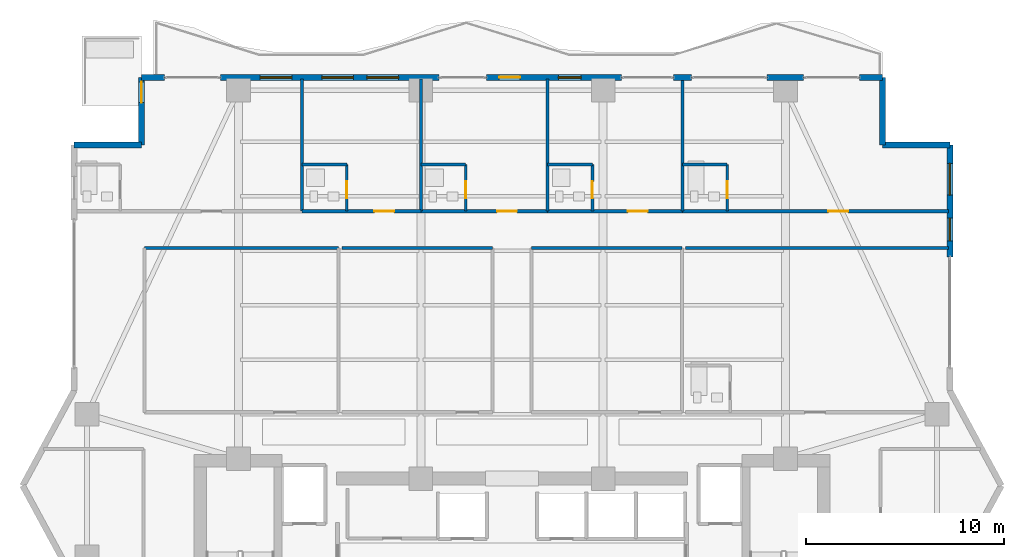
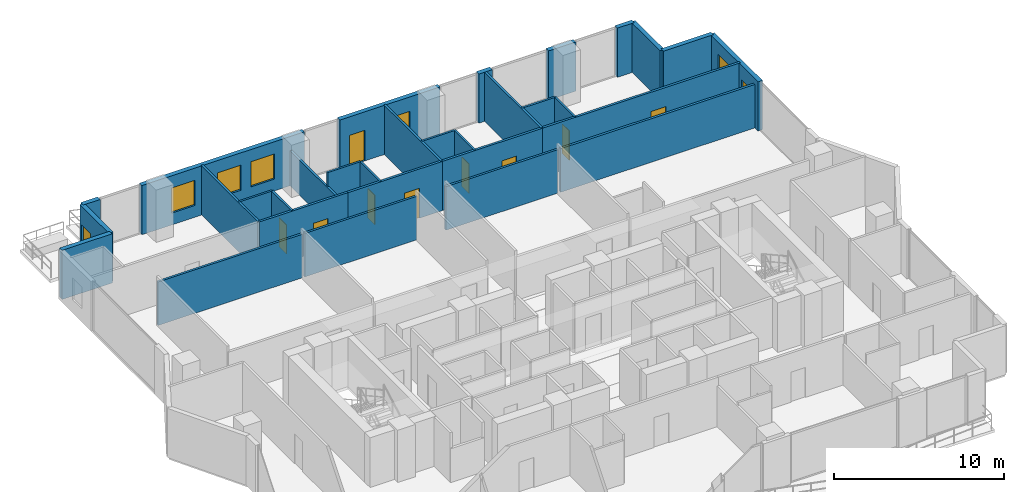
# One storey, part 27 of 32: 31 walls, 10 doors, 6 windows, 16 openings.
"""IFC4 building model written with IfcOpenShell, lengths in metres."""

from ifc_helpers import new_model, si_unit, direction, frame, frame_2d, origin, place, context, subcontext, project, spatial, rectangle, extrude, material, layer, layer_set, type_object, element, fill, save


model = new_model("IFC4")

# Units and contexts
model_context = context("Model", 3, precision=1e-05, world=origin(), true_north=direction((0.0, 1.0)))
body_context = subcontext(model_context, "Body", "Model", "MODEL_VIEW")
ifc_project = project(units=[si_unit("LENGTHUNIT", "METRE"), si_unit("AREAUNIT", "SQUARE_METRE"), si_unit("VOLUMEUNIT", "CUBIC_METRE"), si_unit("PLANEANGLEUNIT", "RADIAN"), si_unit("MASSUNIT", "GRAM", prefix="KILO")], contexts=[model_context])

# Site, building, storey
site_placement = place(None, origin())
site = spatial("IfcSite", under=ifc_project, at=site_placement, CompositionType="ELEMENT")
building_placement = place(site_placement, origin())
building = spatial("IfcBuilding", under=site, at=building_placement, Name="Zuhayl Quay Hotel", CompositionType="ELEMENT")
storey_placement = place(building_placement, frame((0.0, 0.0, 181.14990234375)))
storey = spatial("IfcBuildingStorey", under=building, at=storey_placement, Name="L45", CompositionType="ELEMENT", Elevation=181.14990234375)

# Wall
ifc_material_1 = material(Name="Precast concrete C45/55", Category="concrete")
ifc_layer_1 = layer(ifc_material_1, 0.300048828125, Name="Precast concrete C45/55", Category="concrete")
ifc_layer_set_1 = layer_set([ifc_layer_1], Name="Precast concrete C45/55")
wall_type_1 = type_object("IfcWallType", Name="WL_EXT_300", PredefinedType="STANDARD", material=ifc_layer_set_1)
wall_1_placement = place(storey_placement, frame((-22.10009765625, 30.199951171875, 0.0), z_axis=(0.0, 0.0, 1.0), x_axis=(1.0, 0.0, 0.0)))
element("IfcWall", 1, at=wall_1_placement, inside=storey, type_object=wall_type_1, Name="L45 Exterior Precast Wall ENV_L45_EW06", PredefinedType="STANDARD", context=body_context, shape_type="SweptSolid", body=[
    extrude(rectangle(XDim=3.400146484375, YDim=0.300048828125, at=frame_2d((1.7001953125, 0.0))), origin(), (0.0, 0.0, 1.0), 3.530029296875),
])

# Wall, opening, door
wall_2_placement = place(storey_placement, frame((-18.699951171875, 30.199951171875, 0.0), z_axis=(0.0, 0.0, 1.0), x_axis=(0.0, 1.0, 0.0)))
wall_2 = element("IfcWall", 2, at=wall_2_placement, inside=storey, type_object=wall_type_1, Name="L45 Exterior Precast Wall ENV_L45_SP_NW", PredefinedType="STANDARD", context=body_context, shape_type="SweptSolid", body=[
    extrude(rectangle(XDim=3.400146484375, YDim=0.300048828125, at=frame_2d((1.7001953125, 0.0))), origin(), (0.0, 0.0, 1.0), 3.530029296875),
])
opening_1_placement = place(wall_2_placement, frame((2.1298828125, 0.0, 0.0)))
opening_1 = element("IfcOpeningElement", 3, at=opening_1_placement, cuts=wall_2, Name="Opening DG1", PredefinedType="OPENING", context=body_context, shape_type="SweptSolid", body=[
    extrude(rectangle(XDim=1.050048828125, YDim=2.199951171875, at=frame_2d((0.52490234375, 1.10009765625))), frame((0.0, 0.159912109375, 0.0), z_axis=(0.0, -1.0, 0.0), x_axis=(1.0, 0.0, 0.0)), (0.0, 0.0, 1.0), 0.320068359375),
])
ifc_material_2 = material(Name="Anodised Aluminium and Dark Solar Glass", Category="aluminium")
door_type_1 = type_object("IfcDoorType", Name="DR_EXT_TERR_1050", OperationType="NOTDEFINED", PredefinedType="DOOR", material=ifc_material_2)
door_1_placement = place(opening_1_placement, origin())
door_1 = element("IfcDoor", 4, at=door_1_placement, inside=storey, type_object=door_type_1, Name="L45 Spiral Sky-Terrace NW Access Door", OperationType="SINGLE_SWING_LEFT", OverallHeight=2.199951171875, OverallWidth=1.050048828125, PredefinedType="DOOR", context=body_context, shape_type="SweptSolid", body=[
    extrude(rectangle(XDim=1.050048828125, YDim=2.199951171875, at=frame_2d((0.52490234375, 1.10009765625))), frame((0.0, 0.02490234375, 0.0), z_axis=(0.0, -1.0, 0.0), x_axis=(1.0, 0.0, 0.0)), (0.0, 0.0, 1.0), 0.050048828125),
])
fill(opening_1, door_1)

# Wall
wall_3_placement = place(storey_placement, frame((-18.699951171875, 33.60009765625, 0.0), z_axis=(0.0, 0.0, 1.0), x_axis=(1.0, 0.0, 0.0)))
element("IfcWall", 5, at=wall_3_placement, inside=storey, type_object=wall_type_1, Name="L45 Exterior Precast Wall ENV_L45_N_EW1", PredefinedType="STANDARD", context=body_context, shape_type="SweptSolid", body=[
    extrude(rectangle(XDim=1.14990234375, YDim=0.300048828125, at=frame_2d((0.574951171875, 0.0))), origin(), (0.0, 0.0, 1.0), 3.530029296875),
])

# Wall, openings, windows
wall_4_placement = place(storey_placement, frame((-14.719970703125, 33.60009765625, 0.0), z_axis=(0.0, 0.0, 1.0), x_axis=(1.0, 0.0, 0.0)))
wall_4 = element("IfcWall", 6, at=wall_4_placement, inside=storey, type_object=wall_type_1, Name="L45 Exterior Precast Wall ENV_L45_N_EW2", PredefinedType="STANDARD", context=body_context, shape_type="SweptSolid", body=[
    extrude(rectangle(XDim=11.0400390625, YDim=0.300048828125, at=frame_2d((5.52001953125, 0.0))), origin(), (0.0, 0.0, 1.0), 3.530029296875),
])
opening_2_placement = place(wall_4_placement, frame((5.1201171875, 0.0, 0.85009765625)))
opening_2 = element("IfcOpeningElement", 7, at=opening_2_placement, cuts=wall_4, Name="Opening W01", PredefinedType="OPENING", context=body_context, shape_type="SweptSolid", body=[
    extrude(rectangle(XDim=1.60009765625, YDim=1.800048828125, at=frame_2d((0.800048828125, 0.89990234375))), frame((0.0, 0.159912109375, 0.0), z_axis=(0.0, -1.0, 0.0), x_axis=(1.0, 0.0, 0.0)), (0.0, 0.0, 1.0), 0.320068359375),
])
opening_3_placement = place(wall_4_placement, frame((2.010009765625, 0.0, 0.85009765625)))
opening_3 = element("IfcOpeningElement", 8, at=opening_3_placement, cuts=wall_4, Name="Opening W01", PredefinedType="OPENING", context=body_context, shape_type="SweptSolid", body=[
    extrude(rectangle(XDim=1.60009765625, YDim=1.800048828125, at=frame_2d((0.800048828125, 0.89990234375))), frame((0.0, 0.159912109375, 0.0), z_axis=(0.0, -1.0, 0.0), x_axis=(1.0, 0.0, 0.0)), (0.0, 0.0, 1.0), 0.320068359375),
])
opening_4_placement = place(wall_4_placement, frame((7.39501953125, 0.0, 0.85009765625)))
opening_4 = element("IfcOpeningElement", 9, at=opening_4_placement, cuts=wall_4, Name="Opening W01", PredefinedType="OPENING", context=body_context, shape_type="SweptSolid", body=[
    extrude(rectangle(XDim=1.60009765625, YDim=1.800048828125, at=frame_2d((0.800048828125, 0.89990234375))), frame((0.0, 0.159912109375, 0.0), z_axis=(0.0, -1.0, 0.0), x_axis=(1.0, 0.0, 0.0)), (0.0, 0.0, 1.0), 0.320068359375),
])
ifc_material_3 = material(Name="Dark Ceramic-Fritted Solar Glass", Category="glass")
window_type_1 = type_object("IfcWindowType", Name="WN_OPERABLE_1600", PartitioningType="DOUBLE_PANEL_VERTICAL", PredefinedType="WINDOW", material=ifc_material_3)
window_1_placement = place(opening_2_placement, origin())
window_1 = element("IfcWindow", 10, at=window_1_placement, inside=storey, type_object=window_type_1, Name="L45 North Operable Casement Window", OverallHeight=1.800048828125, OverallWidth=1.60009765625, PartitioningType="SINGLE_PANEL", PredefinedType="WINDOW", context=body_context, shape_type="SweptSolid", body=[
    extrude(rectangle(XDim=1.60009765625, YDim=1.800048828125, at=frame_2d((0.800048828125, 0.89990234375))), frame((0.0, 0.030029296875, 0.0), z_axis=(0.0, -1.0, 0.0), x_axis=(1.0, 0.0, 0.0)), (0.0, 0.0, 1.0), 0.06005859375),
])
fill(opening_2, window_1)
window_2_placement = place(opening_3_placement, origin())
window_2 = element("IfcWindow", 11, at=window_2_placement, inside=storey, type_object=window_type_1, Name="L45 Operable Facade Window 2-1", OverallHeight=1.800048828125, OverallWidth=1.60009765625, PartitioningType="SINGLE_PANEL", PredefinedType="WINDOW", context=body_context, shape_type="SweptSolid", body=[
    extrude(rectangle(XDim=1.60009765625, YDim=1.800048828125, at=frame_2d((0.800048828125, 0.89990234375))), frame((0.0, 0.030029296875, 0.0), z_axis=(0.0, -1.0, 0.0), x_axis=(1.0, 0.0, 0.0)), (0.0, 0.0, 1.0), 0.06005859375),
])
fill(opening_3, window_2)
window_3_placement = place(opening_4_placement, origin())
window_3 = element("IfcWindow", 12, at=window_3_placement, inside=storey, type_object=window_type_1, Name="L45 Operable Facade Window 2-2", OverallHeight=1.800048828125, OverallWidth=1.60009765625, PartitioningType="SINGLE_PANEL", PredefinedType="WINDOW", context=body_context, shape_type="SweptSolid", body=[
    extrude(rectangle(XDim=1.60009765625, YDim=1.800048828125, at=frame_2d((0.800048828125, 0.89990234375))), frame((0.0, 0.030029296875, 0.0), z_axis=(0.0, -1.0, 0.0), x_axis=(1.0, 0.0, 0.0)), (0.0, 0.0, 1.0), 0.06005859375),
])
fill(opening_4, window_3)

# Wall, openings, door, window
wall_5_placement = place(storey_placement, frame((-1.294921875, 33.60009765625, 0.0), z_axis=(0.0, 0.0, 1.0), x_axis=(1.0, 0.0, 0.0)))
wall_5 = element("IfcWall", 13, at=wall_5_placement, inside=storey, type_object=wall_type_1, Name="L45 Exterior Precast Wall ENV_L45_N_EW3", PredefinedType="STANDARD", context=body_context, shape_type="SweptSolid", body=[
    extrude(rectangle(XDim=6.81494140625, YDim=0.300048828125, at=frame_2d((3.407470703125, 0.0))), origin(), (0.0, 0.0, 1.0), 3.530029296875),
])
opening_5_placement = place(wall_5_placement, frame((0.64990234375, 0.0, 0.0)))
opening_5 = element("IfcOpeningElement", 14, at=opening_5_placement, cuts=wall_5, Name="Opening DG1", PredefinedType="OPENING", context=body_context, shape_type="SweptSolid", body=[
    extrude(rectangle(XDim=1.050048828125, YDim=2.199951171875, at=frame_2d((0.52490234375, 1.10009765625))), frame((0.0, 0.159912109375, 0.0), z_axis=(0.0, -1.0, 0.0), x_axis=(1.0, 0.0, 0.0)), (0.0, 0.0, 1.0), 0.320068359375),
])
opening_6_placement = place(wall_5_placement, frame((3.6298828125, 0.0, 0.949951171875)))
opening_6 = element("IfcOpeningElement", 15, at=opening_6_placement, cuts=wall_5, Name="Opening W01N", PredefinedType="OPENING", context=body_context, shape_type="SweptSolid", body=[
    extrude(rectangle(XDim=1.14990234375, YDim=1.550048828125, at=frame_2d((0.574951171875, 0.77490234375))), frame((0.0, 0.159912109375, 0.0), z_axis=(0.0, -1.0, 0.0), x_axis=(1.0, 0.0, 0.0)), (0.0, 0.0, 1.0), 0.320068359375),
])
door_2_placement = place(opening_5_placement, origin())
door_2 = element("IfcDoor", 16, at=door_2_placement, inside=storey, type_object=door_type_1, Name="L45 North Rippling Balcony Door", OperationType="SINGLE_SWING_LEFT", OverallHeight=2.199951171875, OverallWidth=1.050048828125, PredefinedType="DOOR", context=body_context, shape_type="SweptSolid", body=[
    extrude(rectangle(XDim=1.050048828125, YDim=2.199951171875, at=frame_2d((0.52490234375, 1.10009765625))), frame((0.0, 0.02490234375, 0.0), z_axis=(0.0, -1.0, 0.0), x_axis=(1.0, 0.0, 0.0)), (0.0, 0.0, 1.0), 0.050048828125),
])
fill(opening_5, door_2)
window_type_2 = type_object("IfcWindowType", Name="WN_NOTCH_1350", PartitioningType="SINGLE_PANEL", PredefinedType="WINDOW", material=ifc_material_3)
window_4_placement = place(opening_6_placement, origin())
window_4 = element("IfcWindow", 17, at=window_4_placement, inside=storey, type_object=window_type_2, Name="L45 Operable Facade Window 3-1", OverallHeight=1.550048828125, OverallWidth=1.14990234375, PartitioningType="SINGLE_PANEL", PredefinedType="WINDOW", context=body_context, shape_type="SweptSolid", body=[
    extrude(rectangle(XDim=1.14990234375, YDim=1.550048828125, at=frame_2d((0.574951171875, 0.77490234375))), frame((0.0, 0.030029296875, 0.0), z_axis=(0.0, -1.0, 0.0), x_axis=(1.0, 0.0, 0.0)), (0.0, 0.0, 1.0), 0.06005859375),
])
fill(opening_6, window_4)

# Walls
wall_6_placement = place(storey_placement, frame((8.14990234375, 33.60009765625, 0.0), z_axis=(0.0, 0.0, 1.0), x_axis=(1.0, 0.0, 0.0)))
element("IfcWall", 18, at=wall_6_placement, inside=storey, type_object=wall_type_1, Name="L45 Exterior Precast Wall ENV_L45_N_EW4", PredefinedType="STANDARD", context=body_context, shape_type="SweptSolid", body=[
    extrude(rectangle(XDim=0.900146484375, YDim=0.300048828125, at=frame_2d((0.4501953125, 0.0))), origin(), (0.0, 0.0, 1.0), 3.530029296875),
])
wall_7_placement = place(storey_placement, frame((12.8798828125, 33.60009765625, 0.0), z_axis=(0.0, 0.0, 1.0), x_axis=(1.0, 0.0, 0.0)))
element("IfcWall", 19, at=wall_7_placement, inside=storey, type_object=wall_type_1, Name="L45 Exterior Precast Wall ENV_L45_N_EW5", PredefinedType="STANDARD", context=body_context, shape_type="SweptSolid", body=[
    extrude(rectangle(XDim=1.840087890625, YDim=0.300048828125, at=frame_2d((0.919921875, 0.0))), origin(), (0.0, 0.0, 1.0), 3.530029296875),
])
wall_8_placement = place(storey_placement, frame((17.550048828125, 33.60009765625, 0.0), z_axis=(0.0, 0.0, 1.0), x_axis=(1.0, 0.0, 0.0)))
element("IfcWall", 20, at=wall_8_placement, inside=storey, type_object=wall_type_1, Name="L45 Exterior Precast Wall ENV_L45_N_EW6", PredefinedType="STANDARD", context=body_context, shape_type="SweptSolid", body=[
    extrude(rectangle(XDim=1.14990234375, YDim=0.300048828125, at=frame_2d((0.574951171875, 0.0))), origin(), (0.0, 0.0, 1.0), 3.530029296875),
])
for number, where, z_axis, x_axis, name in (
    (21, (18.699951171875, 33.60009765625, 0.0), (0.0, 0.0, 1.0), (0.0, -1.0, 0.0), "L45 Exterior Precast Wall ENV_L45_EW09"),
    (22, (18.699951171875, 30.199951171875, 0.0), (0.0, 0.0, 1.0), (1.0, 0.0, 0.0), "L45 Exterior Precast Wall ENV_L45_EW10"),
):
    element("IfcWall", number, at=place(storey_placement, frame(where, z_axis=z_axis, x_axis=x_axis)), inside=storey, type_object=wall_type_1, Name=name, PredefinedType="STANDARD", context=body_context, shape_type="SweptSolid", body=[
        extrude(rectangle(XDim=3.400146484375, YDim=0.300048828125, at=frame_2d((1.7001953125, 0.0))), origin(), (0.0, 0.0, 1.0), 3.530029296875),
    ])

# Wall, openings, windows
wall_9_placement = place(storey_placement, frame((22.10009765625, 30.199951171875, 0.0), z_axis=(0.0, 0.0, 1.0), x_axis=(0.0, -1.0, 0.0)))
wall_9 = element("IfcWall", 23, at=wall_9_placement, inside=storey, type_object=wall_type_1, Name="L45 Exterior Precast Wall ENV_L45_E11_EW1", PredefinedType="STANDARD", context=body_context, shape_type="SweptSolid", body=[
    extrude(rectangle(XDim=5.64990234375, YDim=0.300048828125, at=frame_2d((2.824951171875, 0.0))), origin(), (0.0, 0.0, 1.0), 3.530029296875),
])
opening_7_placement = place(wall_9_placement, frame((0.93505859375, 0.0, 0.85009765625)))
opening_7 = element("IfcOpeningElement", 24, at=opening_7_placement, cuts=wall_9, Name="Opening W01", PredefinedType="OPENING", context=body_context, shape_type="SweptSolid", body=[
    extrude(rectangle(XDim=1.60009765625, YDim=1.800048828125, at=frame_2d((0.800048828125, 0.89990234375))), frame((0.0, 0.159912109375, 0.0), z_axis=(0.0, -1.0, 0.0), x_axis=(1.0, 0.0, 0.0)), (0.0, 0.0, 1.0), 0.320068359375),
])
opening_8_placement = place(wall_9_placement, frame((3.699951171875, 0.0, 0.949951171875)))
opening_8 = element("IfcOpeningElement", 25, at=opening_8_placement, cuts=wall_9, Name="Opening W01N", PredefinedType="OPENING", context=body_context, shape_type="SweptSolid", body=[
    extrude(rectangle(XDim=1.14990234375, YDim=1.550048828125, at=frame_2d((0.574951171875, 0.77490234375))), frame((0.0, 0.159912109375, 0.0), z_axis=(0.0, -1.0, 0.0), x_axis=(1.0, 0.0, 0.0)), (0.0, 0.0, 1.0), 0.320068359375),
])
window_5_placement = place(opening_8_placement, origin())
window_5 = element("IfcWindow", 26, at=window_5_placement, inside=storey, type_object=window_type_2, Name="L45 Operable Facade Window 1-2", OverallHeight=1.550048828125, OverallWidth=1.14990234375, PartitioningType="SINGLE_PANEL", PredefinedType="WINDOW", context=body_context, shape_type="SweptSolid", body=[
    extrude(rectangle(XDim=1.14990234375, YDim=1.550048828125, at=frame_2d((0.574951171875, 0.77490234375))), frame((0.0, 0.030029296875, 0.0), z_axis=(0.0, -1.0, 0.0), x_axis=(1.0, 0.0, 0.0)), (0.0, 0.0, 1.0), 0.06005859375),
])
fill(opening_8, window_5)
window_6_placement = place(opening_7_placement, origin())
window_6 = element("IfcWindow", 27, at=window_6_placement, inside=storey, type_object=window_type_1, Name="L45 Operable Facade Window 1-1", OverallHeight=1.800048828125, OverallWidth=1.60009765625, PartitioningType="SINGLE_PANEL", PredefinedType="WINDOW", context=body_context, shape_type="SweptSolid", body=[
    extrude(rectangle(XDim=1.60009765625, YDim=1.800048828125, at=frame_2d((0.800048828125, 0.89990234375))), frame((0.0, 0.030029296875, 0.0), z_axis=(0.0, -1.0, 0.0), x_axis=(1.0, 0.0, 0.0)), (0.0, 0.0, 1.0), 0.06005859375),
])
fill(opening_7, window_6)

# Walls
ifc_material_4 = material(Name="Acoustic Gypsum Partition STC-58")
ifc_layer_2 = layer(ifc_material_4, 0.14990234375, Name="Acoustic Gypsum Partition STC-58")
ifc_layer_set_2 = layer_set([ifc_layer_2], Name="Acoustic Gypsum Partition STC-58")
wall_type_2 = type_object("IfcWallType", Name="WL_PART_150", PredefinedType="PARTITIONING", material=ifc_layer_set_2)
wall_10_placement = place(storey_placement, frame((-10.60009765625, 26.85009765625, 0.0), z_axis=(0.0, 0.0, 1.0), x_axis=(0.0, 1.0, 0.0)))
element("IfcWall", 28, at=wall_10_placement, inside=storey, type_object=wall_type_2, Name="L45 Partition IW_L45_NU01_E", PredefinedType="PARTITIONING", context=body_context, shape_type="SweptSolid", body=[
    extrude(rectangle(XDim=6.669921875, YDim=0.14990234375, at=frame_2d((3.3349609375, 0.0))), origin(), (0.0, 0.0, 1.0), 3.530029296875),
])
wall_11_placement = place(storey_placement, frame((-4.60009765625, 26.85009765625, 0.0), z_axis=(0.0, 0.0, 1.0), x_axis=(0.0, 1.0, 0.0)))
element("IfcWall", 29, at=wall_11_placement, inside=storey, type_object=wall_type_2, Name="L45 Partition IW_L45_NU02_E", PredefinedType="PARTITIONING", context=body_context, shape_type="SweptSolid", body=[
    extrude(rectangle(XDim=6.669921875, YDim=0.14990234375, at=frame_2d((3.3349609375, 0.0))), origin(), (0.0, 0.0, 1.0), 2.51904296875),
])
for number, where, z_axis, x_axis, name in (
    (30, (1.800048828125, 26.85009765625, 0.0), (0.0, 0.0, 1.0), (0.0, 1.0, 0.0), "L45 Partition IW_L45_NU03_E"),
    (31, (8.60009765625, 26.85009765625, 0.0), (0.0, 0.0, 1.0), (0.0, 1.0, 0.0), "L45 Partition IW_L45_NU04_E"),
):
    element("IfcWall", number, at=place(storey_placement, frame(where, z_axis=z_axis, x_axis=x_axis)), inside=storey, type_object=wall_type_2, Name=name, PredefinedType="PARTITIONING", context=body_context, shape_type="SweptSolid", body=[
        extrude(rectangle(XDim=6.669921875, YDim=0.14990234375, at=frame_2d((3.3349609375, 0.0))), origin(), (0.0, 0.0, 1.0), 3.530029296875),
    ])
wall_12_placement = place(storey_placement, frame((-18.550048828125, 25.0, 0.0), z_axis=(0.0, 0.0, 1.0), x_axis=(1.0, 0.0, 0.0)))
element("IfcWall", 32, at=wall_12_placement, inside=storey, type_object=wall_type_2, Name="L45 Partition IW_L45_Z3_SAL_W1_N", PredefinedType="PARTITIONING", context=body_context, shape_type="SweptSolid", body=[
    extrude(rectangle(XDim=9.800048828125, YDim=0.14990234375, at=frame_2d((4.89990234375, 0.0))), origin(), (0.0, 0.0, 1.0), 3.1240234375),
])
for number, where, z_axis, x_axis, name in (
    (33, (-8.590087890625, 25.0, 0.0), (0.0, 0.0, 1.0), (1.0, 0.0, 0.0), "L45 Partition IW_L45_Z3_SAL_W2_N"),
    (34, (0.97998046875, 25.0, 0.0), (0.0, 0.0, 1.0), (1.0, 0.0, 0.0), "L45 Partition IW_L45_Z3_SAL_E1_N"),
):
    element("IfcWall", number, at=place(storey_placement, frame(where, z_axis=z_axis, x_axis=x_axis)), inside=storey, type_object=wall_type_2, Name=name, PredefinedType="PARTITIONING", context=body_context, shape_type="SweptSolid", body=[
        extrude(rectangle(XDim=7.610107421875, YDim=0.14990234375, at=frame_2d((3.80517578125, 0.0))), origin(), (0.0, 0.0, 1.0), 3.1240234375),
    ])

# Wall, opening, door
ifc_layer_3 = layer(ifc_material_4, 0.159912109375, Name="Acoustic Gypsum Partition STC-58")
ifc_layer_set_3 = layer_set([ifc_layer_3], Name="Acoustic Gypsum Partition STC-58")
wall_type_3 = type_object("IfcWallType", Name="WL_PART_CORR_160", PredefinedType="PARTITIONING", material=ifc_layer_set_3)
wall_13_placement = place(storey_placement, frame((-10.60009765625, 26.85009765625, 0.0), z_axis=(0.0, 0.0, 1.0), x_axis=(1.0, 0.0, 0.0)))
wall_13 = element("IfcWall", 35, at=wall_13_placement, inside=storey, type_object=wall_type_3, Name="L45 Partition IW_L45_NU02_COR", PredefinedType="PARTITIONING", context=body_context, shape_type="SweptSolid", body=[
    extrude(rectangle(XDim=6.0, YDim=0.159912109375, at=frame_2d((3.0, 0.0))), origin(), (0.0, 0.0, 1.0), 3.530029296875),
])
opening_9_placement = place(wall_13_placement, frame((3.64990234375, 0.0, 0.0)))
opening_9 = element("IfcOpeningElement", 36, at=opening_9_placement, cuts=wall_13, Name="Opening D03L", PredefinedType="OPENING", context=body_context, shape_type="SweptSolid", body=[
    extrude(rectangle(XDim=1.0, YDim=2.14990234375, at=frame_2d((0.5, 1.074951171875))), frame((0.0, 0.08984375, 0.0), z_axis=(0.0, -1.0, 0.0), x_axis=(1.0, 0.0, 0.0)), (0.0, 0.0, 1.0), 0.179931640625),
])
ifc_material_5 = material(Name="Solid Walnut Acoustic Fire Door")
door_type_2 = type_object("IfcDoorType", Name="DR_SUITE_1000", OperationType="NOTDEFINED", PredefinedType="DOOR", material=ifc_material_5)
door_3_placement = place(opening_9_placement, origin())
door_3 = element("IfcDoor", 37, at=door_3_placement, inside=storey, type_object=door_type_2, Name="L45 Panoramic Gulf Suite L45-02 Entrance Door", OperationType="SINGLE_SWING_RIGHT", OverallHeight=2.14990234375, OverallWidth=1.0, PredefinedType="DOOR", context=body_context, shape_type="SweptSolid", body=[
    extrude(rectangle(XDim=1.0, YDim=2.14990234375, at=frame_2d((0.5, 1.074951171875))), frame((0.0, 0.02490234375, 0.0), z_axis=(0.0, -1.0, 0.0), x_axis=(1.0, 0.0, 0.0)), (0.0, 0.0, 1.0), 0.050048828125),
])
fill(opening_9, door_3)

wall_14_placement = place(storey_placement, frame((-4.60009765625, 26.85009765625, 0.0), z_axis=(0.0, 0.0, 1.0), x_axis=(1.0, 0.0, 0.0)))
wall_14 = element("IfcWall", 38, at=wall_14_placement, inside=storey, type_object=wall_type_3, Name="L45 Partition IW_L45_NU03_COR", PredefinedType="PARTITIONING", context=body_context, shape_type="SweptSolid", body=[
    extrude(rectangle(XDim=6.400146484375, YDim=0.159912109375, at=frame_2d((3.2001953125, 0.0))), origin(), (0.0, 0.0, 1.0), 3.530029296875),
])
opening_10_placement = place(wall_14_placement, frame((3.85009765625, 0.0, 0.0)))
opening_10 = element("IfcOpeningElement", 39, at=opening_10_placement, cuts=wall_14, Name="Opening D03L", PredefinedType="OPENING", context=body_context, shape_type="SweptSolid", body=[
    extrude(rectangle(XDim=1.0, YDim=2.14990234375, at=frame_2d((0.5, 1.074951171875))), frame((0.0, 0.08984375, 0.0), z_axis=(0.0, -1.0, 0.0), x_axis=(1.0, 0.0, 0.0)), (0.0, 0.0, 1.0), 0.179931640625),
])
door_4_placement = place(opening_10_placement, origin())
door_4 = element("IfcDoor", 40, at=door_4_placement, inside=storey, type_object=door_type_2, Name="L45 Panoramic Gulf Suite L45-03 Entrance Door", OperationType="SINGLE_SWING_RIGHT", OverallHeight=2.14990234375, OverallWidth=1.0, PredefinedType="DOOR", context=body_context, shape_type="SweptSolid", body=[
    extrude(rectangle(XDim=1.0, YDim=2.14990234375, at=frame_2d((0.5, 1.074951171875))), frame((0.0, 0.02490234375, 0.0), z_axis=(0.0, -1.0, 0.0), x_axis=(1.0, 0.0, 0.0)), (0.0, 0.0, 1.0), 0.050048828125),
])
fill(opening_10, door_4)

wall_15_placement = place(storey_placement, frame((1.800048828125, 26.85009765625, 0.0), z_axis=(0.0, 0.0, 1.0), x_axis=(1.0, 0.0, 0.0)))
wall_15 = element("IfcWall", 41, at=wall_15_placement, inside=storey, type_object=wall_type_3, Name="L45 Partition IW_L45_NU04_COR", PredefinedType="PARTITIONING", context=body_context, shape_type="SweptSolid", body=[
    extrude(rectangle(XDim=6.800048828125, YDim=0.159912109375, at=frame_2d((3.39990234375, 0.0))), origin(), (0.0, 0.0, 1.0), 3.530029296875),
])
opening_11_placement = place(wall_15_placement, frame((4.050048828125, 0.0, 0.0)))
opening_11 = element("IfcOpeningElement", 42, at=opening_11_placement, cuts=wall_15, Name="Opening D03L", PredefinedType="OPENING", context=body_context, shape_type="SweptSolid", body=[
    extrude(rectangle(XDim=1.0, YDim=2.14990234375, at=frame_2d((0.5, 1.074951171875))), frame((0.0, 0.08984375, 0.0), z_axis=(0.0, -1.0, 0.0), x_axis=(1.0, 0.0, 0.0)), (0.0, 0.0, 1.0), 0.179931640625),
])
door_5_placement = place(opening_11_placement, origin())
door_5 = element("IfcDoor", 43, at=door_5_placement, inside=storey, type_object=door_type_2, Name="L45 Panoramic Gulf Suite L45-04 Entrance Door", OperationType="SINGLE_SWING_RIGHT", OverallHeight=2.14990234375, OverallWidth=1.0, PredefinedType="DOOR", context=body_context, shape_type="SweptSolid", body=[
    extrude(rectangle(XDim=1.0, YDim=2.14990234375, at=frame_2d((0.5, 1.074951171875))), frame((0.0, 0.02490234375, 0.0), z_axis=(0.0, -1.0, 0.0), x_axis=(1.0, 0.0, 0.0)), (0.0, 0.0, 1.0), 0.050048828125),
])
fill(opening_11, door_5)

wall_16_placement = place(storey_placement, frame((8.60009765625, 26.85009765625, 0.0), z_axis=(0.0, 0.0, 1.0), x_axis=(1.0, 0.0, 0.0)))
wall_16 = element("IfcWall", 44, at=wall_16_placement, inside=storey, type_object=wall_type_3, Name="L45 Partition IW_L45_NU05_COR", PredefinedType="PARTITIONING", context=body_context, shape_type="SweptSolid", body=[
    extrude(rectangle(XDim=13.43994140625, YDim=0.159912109375, at=frame_2d((6.719970703125, 0.0))), origin(), (0.0, 0.0, 1.0), 3.530029296875),
])
opening_12_placement = place(wall_16_placement, frame((7.3701171875, 0.0, 0.0)))
opening_12 = element("IfcOpeningElement", 45, at=opening_12_placement, cuts=wall_16, Name="Opening D03L", PredefinedType="OPENING", context=body_context, shape_type="SweptSolid", body=[
    extrude(rectangle(XDim=1.0, YDim=2.14990234375, at=frame_2d((0.5, 1.074951171875))), frame((0.0, 0.08984375, 0.0), z_axis=(0.0, -1.0, 0.0), x_axis=(1.0, 0.0, 0.0)), (0.0, 0.0, 1.0), 0.179931640625),
])
door_6_placement = place(opening_12_placement, origin())
door_6 = element("IfcDoor", 46, at=door_6_placement, inside=storey, type_object=door_type_2, Name="L45 Panoramic Gulf Suite L45-05 Entrance Door", OperationType="SINGLE_SWING_RIGHT", OverallHeight=2.14990234375, OverallWidth=1.0, PredefinedType="DOOR", context=body_context, shape_type="SweptSolid", body=[
    extrude(rectangle(XDim=1.0, YDim=2.14990234375, at=frame_2d((0.5, 1.074951171875))), frame((0.0, 0.02490234375, 0.0), z_axis=(0.0, -1.0, 0.0), x_axis=(1.0, 0.0, 0.0)), (0.0, 0.0, 1.0), 0.050048828125),
])
fill(opening_12, door_6)

# Wall
wall_17_placement = place(storey_placement, frame((8.75, 25.0, 0.0), z_axis=(0.0, 0.0, 1.0), x_axis=(1.0, 0.0, 0.0)))
element("IfcWall", 47, at=wall_17_placement, inside=storey, type_object=wall_type_3, Name="L45 Partition IW_L45_MU01_BK", PredefinedType="PARTITIONING", context=body_context, shape_type="SweptSolid", body=[
    extrude(rectangle(XDim=13.2900390625, YDim=0.159912109375, at=frame_2d((6.64501953125, 0.0))), origin(), (0.0, 0.0, 1.0), 3.1240234375),
])

# Wall, opening, door
ifc_material_6 = material(Name="Moisture-Resistant Sanitarychase Gypsum")
ifc_layer_4 = layer(ifc_material_6, 0.135009765625, Name="Moisture-Resistant Sanitarychase Gypsum")
ifc_layer_set_4 = layer_set([ifc_layer_4], Name="Moisture-Resistant Sanitarychase Gypsum")
wall_type_4 = type_object("IfcWallType", Name="WL_PART_PLUMB_150", PredefinedType="PLUMBINGWALL", material=ifc_layer_set_4)
wall_18_placement = place(storey_placement, frame((-8.340087890625, 26.85009765625, 0.0), z_axis=(0.0, 0.0, 1.0), x_axis=(0.0, 1.0, 0.0)))
wall_18 = element("IfcWall", 48, at=wall_18_placement, inside=storey, type_object=wall_type_4, Name="L45 Partition IW_L45_NU02_BE", PredefinedType="PLUMBINGWALL", context=body_context, shape_type="SweptSolid", body=[
    extrude(rectangle(XDim=2.35986328125, YDim=0.135009765625, at=frame_2d((1.179931640625, 0.0))), origin(), (0.0, 0.0, 1.0), 3.530029296875),
])
opening_13_placement = place(wall_18_placement, frame((0.64990234375, 0.0, 0.0)))
opening_13 = element("IfcOpeningElement", 49, at=opening_13_placement, cuts=wall_18, Name="Opening D04", PredefinedType="OPENING", context=body_context, shape_type="SweptSolid", body=[
    extrude(rectangle(XDim=0.85009765625, YDim=2.10009765625, at=frame_2d((0.425048828125, 1.050048828125))), frame((0.0, 0.077392578125, 0.0), z_axis=(0.0, -1.0, 0.0), x_axis=(1.0, 0.0, 0.0)), (0.0, 0.0, 1.0), 0.155029296875),
])
ifc_material_7 = material(Name="Moisture-Resistant Walnut Veneer")
door_type_3 = type_object("IfcDoorType", Name="DR_BATH_850", OperationType="NOTDEFINED", PredefinedType="DOOR", material=ifc_material_7)
door_7_placement = place(opening_13_placement, origin())
door_7 = element("IfcDoor", 50, at=door_7_placement, inside=storey, type_object=door_type_3, Name="L45 Panoramic Gulf Suite L45-02 En-Suite Door", OperationType="SINGLE_SWING_LEFT", OverallHeight=2.10009765625, OverallWidth=0.85009765625, PredefinedType="DOOR", context=body_context, shape_type="SweptSolid", body=[
    extrude(rectangle(XDim=0.85009765625, YDim=2.10009765625, at=frame_2d((0.425048828125, 1.050048828125))), frame((0.0, 0.02490234375, 0.0), z_axis=(0.0, -1.0, 0.0), x_axis=(1.0, 0.0, 0.0)), (0.0, 0.0, 1.0), 0.050048828125),
])
fill(opening_13, door_7)

wall_19_placement = place(storey_placement, frame((-2.340087890625, 26.85009765625, 0.0), z_axis=(0.0, 0.0, 1.0), x_axis=(0.0, 1.0, 0.0)))
wall_19 = element("IfcWall", 51, at=wall_19_placement, inside=storey, type_object=wall_type_4, Name="L45 Partition IW_L45_NU03_BE", PredefinedType="PLUMBINGWALL", context=body_context, shape_type="SweptSolid", body=[
    extrude(rectangle(XDim=2.35986328125, YDim=0.135009765625, at=frame_2d((1.179931640625, 0.0))), origin(), (0.0, 0.0, 1.0), 3.530029296875),
])
opening_14_placement = place(wall_19_placement, frame((0.64990234375, 0.0, 0.0)))
opening_14 = element("IfcOpeningElement", 52, at=opening_14_placement, cuts=wall_19, Name="Opening D04", PredefinedType="OPENING", context=body_context, shape_type="SweptSolid", body=[
    extrude(rectangle(XDim=0.85009765625, YDim=2.10009765625, at=frame_2d((0.425048828125, 1.050048828125))), frame((0.0, 0.077392578125, 0.0), z_axis=(0.0, -1.0, 0.0), x_axis=(1.0, 0.0, 0.0)), (0.0, 0.0, 1.0), 0.155029296875),
])
door_8_placement = place(opening_14_placement, origin())
door_8 = element("IfcDoor", 53, at=door_8_placement, inside=storey, type_object=door_type_3, Name="L45 Panoramic Gulf Suite L45-03 En-Suite Door", OperationType="SINGLE_SWING_LEFT", OverallHeight=2.10009765625, OverallWidth=0.85009765625, PredefinedType="DOOR", context=body_context, shape_type="SweptSolid", body=[
    extrude(rectangle(XDim=0.85009765625, YDim=2.10009765625, at=frame_2d((0.425048828125, 1.050048828125))), frame((0.0, 0.02490234375, 0.0), z_axis=(0.0, -1.0, 0.0), x_axis=(1.0, 0.0, 0.0)), (0.0, 0.0, 1.0), 0.050048828125),
])
fill(opening_14, door_8)

wall_20_placement = place(storey_placement, frame((4.06005859375, 26.85009765625, 0.0), z_axis=(0.0, 0.0, 1.0), x_axis=(0.0, 1.0, 0.0)))
wall_20 = element("IfcWall", 54, at=wall_20_placement, inside=storey, type_object=wall_type_4, Name="L45 Partition IW_L45_NU04_BE", PredefinedType="PLUMBINGWALL", context=body_context, shape_type="SweptSolid", body=[
    extrude(rectangle(XDim=2.35986328125, YDim=0.135009765625, at=frame_2d((1.179931640625, 0.0))), origin(), (0.0, 0.0, 1.0), 3.530029296875),
])
opening_15_placement = place(wall_20_placement, frame((0.64990234375, 0.0, 0.0)))
opening_15 = element("IfcOpeningElement", 55, at=opening_15_placement, cuts=wall_20, Name="Opening D04", PredefinedType="OPENING", context=body_context, shape_type="SweptSolid", body=[
    extrude(rectangle(XDim=0.85009765625, YDim=2.10009765625, at=frame_2d((0.425048828125, 1.050048828125))), frame((0.0, 0.077392578125, 0.0), z_axis=(0.0, -1.0, 0.0), x_axis=(1.0, 0.0, 0.0)), (0.0, 0.0, 1.0), 0.155029296875),
])
door_9_placement = place(opening_15_placement, origin())
door_9 = element("IfcDoor", 56, at=door_9_placement, inside=storey, type_object=door_type_3, Name="L45 Panoramic Gulf Suite L45-04 En-Suite Door", OperationType="SINGLE_SWING_LEFT", OverallHeight=2.10009765625, OverallWidth=0.85009765625, PredefinedType="DOOR", context=body_context, shape_type="SweptSolid", body=[
    extrude(rectangle(XDim=0.85009765625, YDim=2.10009765625, at=frame_2d((0.425048828125, 1.050048828125))), frame((0.0, 0.02490234375, 0.0), z_axis=(0.0, -1.0, 0.0), x_axis=(1.0, 0.0, 0.0)), (0.0, 0.0, 1.0), 0.050048828125),
])
fill(opening_15, door_9)

wall_21_placement = place(storey_placement, frame((10.860107421875, 26.85009765625, 0.0), z_axis=(0.0, 0.0, 1.0), x_axis=(0.0, 1.0, 0.0)))
wall_21 = element("IfcWall", 57, at=wall_21_placement, inside=storey, type_object=wall_type_4, Name="L45 Partition IW_L45_NU05_BE", PredefinedType="PLUMBINGWALL", context=body_context, shape_type="SweptSolid", body=[
    extrude(rectangle(XDim=2.35986328125, YDim=0.135009765625, at=frame_2d((1.179931640625, 0.0))), origin(), (0.0, 0.0, 1.0), 3.530029296875),
])
opening_16_placement = place(wall_21_placement, frame((0.64990234375, 0.0, 0.0)))
opening_16 = element("IfcOpeningElement", 58, at=opening_16_placement, cuts=wall_21, Name="Opening D04", PredefinedType="OPENING", context=body_context, shape_type="SweptSolid", body=[
    extrude(rectangle(XDim=0.85009765625, YDim=2.10009765625, at=frame_2d((0.425048828125, 1.050048828125))), frame((0.0, 0.077392578125, 0.0), z_axis=(0.0, -1.0, 0.0), x_axis=(1.0, 0.0, 0.0)), (0.0, 0.0, 1.0), 0.155029296875),
])
door_10_placement = place(opening_16_placement, origin())
door_10 = element("IfcDoor", 59, at=door_10_placement, inside=storey, type_object=door_type_3, Name="L45 Panoramic Gulf Suite L45-05 En-Suite Door", OperationType="SINGLE_SWING_LEFT", OverallHeight=2.10009765625, OverallWidth=0.85009765625, PredefinedType="DOOR", context=body_context, shape_type="SweptSolid", body=[
    extrude(rectangle(XDim=0.85009765625, YDim=2.10009765625, at=frame_2d((0.425048828125, 1.050048828125))), frame((0.0, 0.02490234375, 0.0), z_axis=(0.0, -1.0, 0.0), x_axis=(1.0, 0.0, 0.0)), (0.0, 0.0, 1.0), 0.050048828125),
])
fill(opening_16, door_10)

# Walls
for number, where, z_axis, x_axis, name in (
    (60, (-10.60009765625, 29.2099609375, 0.0), (0.0, 0.0, 1.0), (1.0, 0.0, 0.0), "L45 Partition IW_L45_NU02_BN"),
    (61, (-4.60009765625, 29.2099609375, 0.0), (0.0, 0.0, 1.0), (1.0, 0.0, 0.0), "L45 Partition IW_L45_NU03_BN"),
    (62, (1.800048828125, 29.2099609375, 0.0), (0.0, 0.0, 1.0), (1.0, 0.0, 0.0), "L45 Partition IW_L45_NU04_BN"),
    (63, (8.60009765625, 29.2099609375, 0.0), (0.0, 0.0, 1.0), (1.0, 0.0, 0.0), "L45 Partition IW_L45_NU05_BN"),
):
    element("IfcWall", number, at=place(storey_placement, frame(where, z_axis=z_axis, x_axis=x_axis)), inside=storey, type_object=wall_type_4, Name=name, PredefinedType="PLUMBINGWALL", context=body_context, shape_type="SweptSolid", body=[
        extrude(rectangle(XDim=2.260009765625, YDim=0.135009765625, at=frame_2d((1.1298828125, 0.0))), origin(), (0.0, 0.0, 1.0), 3.530029296875),
    ])

save(model, "model.ifc")
